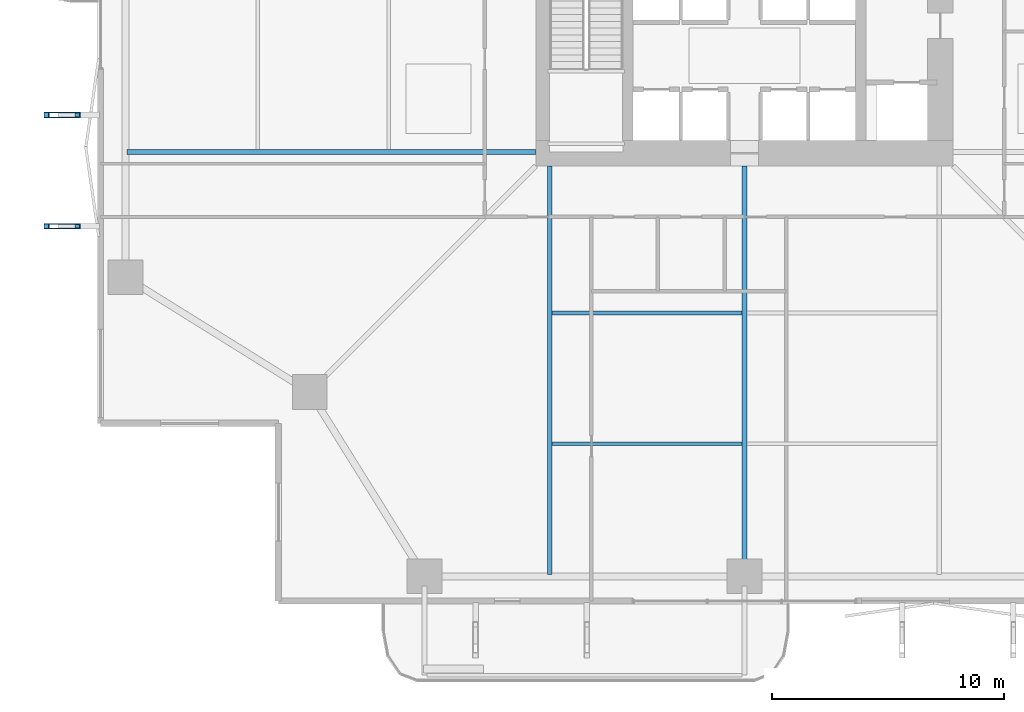
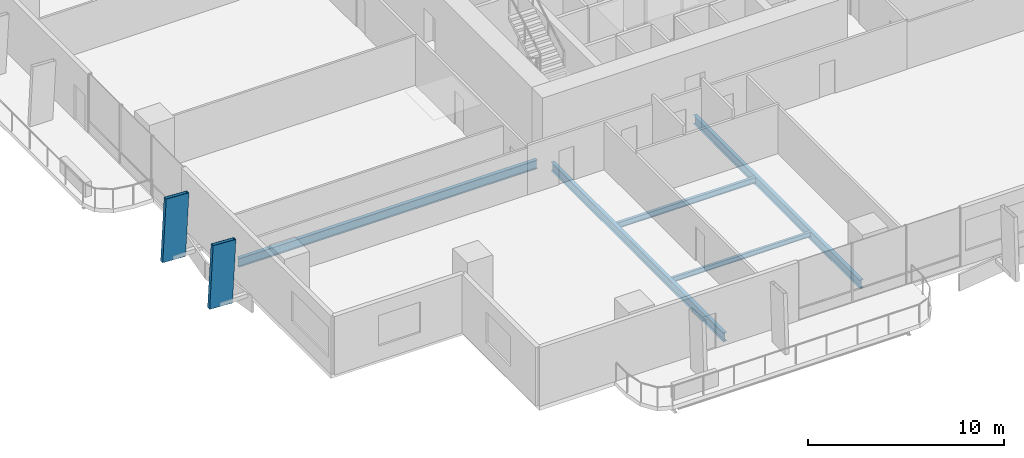
# One storey, part 3 of 23: 5 beams, 2 members.
"""IFC4 building model written with IfcOpenShell, lengths in metres."""

import ifcopenshell
import ifcopenshell.guid

model = None  # the IFC model being written
_history = None  # IfcOwnerHistory: only IFC2X3 demands one
_inside = {}  # id of a spatial element -> (the spatial element, [elements in it])
_under = {}  # id of a project, library or spatial element -> (it, [spatial elements below it])
_declared = {}  # id of a project -> (the project, [libraries it declares])
_typed = {}  # id of a type object -> (the type object, [elements of that type])
_made_of = {}  # id of a material, layer set ... -> (it, [elements and type objects made of it])


def new_model(schema):
    """Start an empty IFC model of exactly this schema.

    Asked for "IFC4X3", IfcOpenShell would pick the latest addendum, in which some entities
    have other attributes; the version numbers below select the first issue.
    IFC2X3 requires an IfcOwnerHistory on every rooted entity: one is made here for all.
    """
    global model, _history
    if schema == "IFC4X3":
        model = ifcopenshell.file(schema_version=(4, 3, 0, 0))
    else:
        model = ifcopenshell.file(schema=schema)
    _inside.clear()
    _under.clear()
    _declared.clear()
    _typed.clear()
    _made_of.clear()
    _history = None
    if model.schema == "IFC2X3":
        org = make("IfcOrganization", Name="unknown")
        user = make(
            "IfcPersonAndOrganization",
            ThePerson=make("IfcPerson", FamilyName="unknown"),
            TheOrganization=org,
        )
        app = make(
            "IfcApplication",
            ApplicationDeveloper=org,
            Version="unknown",
            ApplicationFullName="unknown",
            ApplicationIdentifier="unknown",
        )
        _history = make(
            "IfcOwnerHistory",
            OwningUser=user,
            OwningApplication=app,
            ChangeAction="ADDED",
            CreationDate=0,
        )
    return model


def make(cls, **values):
    """One entity of the class cls with the attributes given. An attribute that is None is left unset."""
    return model.create_entity(
        cls, **{name: value for name, value in values.items() if value is not None}
    )


def rooted(cls, **values):
    """An entity with a GlobalId (a new one), such as an element, a storey or a relation."""
    return make(cls, GlobalId=ifcopenshell.guid.new(), OwnerHistory=_history, **values)


def si_unit(unit_type, name, prefix=None):
    """IfcSIUnit, for example si_unit("LENGTHUNIT", "METRE", prefix="MILLI")."""
    return make("IfcSIUnit", UnitType=unit_type, Prefix=prefix, Name=name)


def assignment(units):
    """IfcUnitAssignment: the units of a project."""
    return None if units is None else make("IfcUnitAssignment", Units=units)


def point(xyz):
    """IfcCartesianPoint."""
    return None if xyz is None else make("IfcCartesianPoint", Coordinates=xyz)


def direction(xyz):
    """IfcDirection."""
    return None if xyz is None else make("IfcDirection", DirectionRatios=xyz)


def frame(location, z_axis=None, x_axis=None):
    """IfcAxis2Placement3D, a coordinate frame: its origin and axes. An axis left out is left unset."""
    return make(
        "IfcAxis2Placement3D",
        Location=point(location),
        Axis=direction(z_axis),
        RefDirection=direction(x_axis),
    )


def frame_2d(location, x_axis=None):
    """IfcAxis2Placement2D, a coordinate frame in the plane: its origin and x axis."""
    return make(
        "IfcAxis2Placement2D", Location=point(location), RefDirection=direction(x_axis)
    )


def origin():
    """The frame at (0, 0, 0) with its axes left unset."""
    return frame((0.0, 0.0, 0.0))


def origin_2d():
    """The frame at (0, 0) in the plane with its x axis left unset."""
    return frame_2d((0.0, 0.0))


def place(relative_to, where):
    """IfcLocalPlacement: puts the frame where relative to a parent placement (None: the world)."""
    return make(
        "IfcLocalPlacement", PlacementRelTo=relative_to, RelativePlacement=where
    )


def context(
    kind, dimensions, precision=None, world=None, true_north=None, identifier=None
):
    """IfcGeometricRepresentationContext, for example the 3D "Model" context."""
    return make(
        "IfcGeometricRepresentationContext",
        ContextIdentifier=identifier,
        ContextType=kind,
        CoordinateSpaceDimension=dimensions,
        Precision=precision,
        WorldCoordinateSystem=world,
        TrueNorth=true_north,
    )


def subcontext(parent, identifier, kind, view, scale=None):
    """IfcGeometricRepresentationSubContext, for example "Body" below "Model"."""
    return make(
        "IfcGeometricRepresentationSubContext",
        ContextIdentifier=identifier,
        ContextType=kind,
        ParentContext=parent,
        TargetScale=scale,
        TargetView=view,
    )


def project(units=None, contexts=None):
    """IfcProject with its units and contexts."""
    return rooted(
        "IfcProject",
        Name="project",
        RepresentationContexts=contexts,
        UnitsInContext=assignment(units),
    )


def spatial(cls, under=None, at=None, **own):
    """A site, building, storey or space (cls), placed at a placement, below another one or the project."""
    s = rooted(cls, ObjectPlacement=at, **own)
    if under is not None:
        _under.setdefault(under.id(), (under, []))[1].append(s)
    return s


def profile(cls, at=None, kind="AREA", **sizes):
    """A parametric profile (cls). Its sizes go by their IFC names, for example OverallWidth=200.0."""
    return make(cls, ProfileType=kind, Position=at, **sizes)


def hollow_rectangle(**sizes):
    """IfcRectangleHollowProfileDef."""
    return profile("IfcRectangleHollowProfileDef", **sizes)


def i_section(**sizes):
    """IfcIShapeProfileDef."""
    return profile("IfcIShapeProfileDef", **sizes)


def extrude(swept, where, along, depth):
    """IfcExtrudedAreaSolid: the profile swept, set in the frame where, extruded along a direction by depth."""
    return make(
        "IfcExtrudedAreaSolid",
        SweptArea=swept,
        Position=where,
        ExtrudedDirection=direction(along),
        Depth=depth,
    )


def shape(context_of_items, identifier, shape_type, items):
    """IfcShapeRepresentation: the items that make up one representation, for example the "Body"."""
    return make(
        "IfcShapeRepresentation",
        ContextOfItems=context_of_items,
        RepresentationIdentifier=identifier,
        RepresentationType=shape_type,
        Items=items,
    )


def material(Name=None, Category=None):
    """IfcMaterial."""
    return make("IfcMaterial", Name=Name, Category=Category)


def material_profile(
    of_material, cross_section, Name=None, Category=None, Priority=None
):
    """IfcMaterialProfile: a cross section and its material."""
    return make(
        "IfcMaterialProfile",
        Name=Name,
        Material=of_material,
        Profile=cross_section,
        Priority=Priority,
        Category=Category,
    )


def profile_set(profiles, Name=None, composite=None):
    """IfcMaterialProfileSet."""
    return make(
        "IfcMaterialProfileSet",
        Name=Name,
        MaterialProfiles=profiles,
        CompositeProfile=composite,
    )


def made_of(thing, what):
    """Note that an element or type object is made of a material, layer set ...; save() writes the relation."""
    if what is not None:
        _made_of.setdefault(what.id(), (what, []))[1].append(thing)
    return thing


def type_object(cls, material=None, **own):
    """A type object (cls), such as IfcWallType, which elements share."""
    return made_of(rooted(cls, **own), material)


def element(
    cls,
    number,
    at=None,
    inside=None,
    cuts=None,
    type_object=None,
    material=None,
    context=None,
    identifier="Body",
    shape_type=None,
    held_by="IfcProductDefinitionShape",
    body=None,
    shapes=None,
    **own,
):
    """One element of the class cls, such as IfcWall. Its Tag is "e" and its number.

    at: its placement. inside: the storey or other place that contains it. cuts: it is an
    opening in that element (IfcRelVoidsElement). A single representation is given by context,
    identifier, shape_type and body (its items); several are given by shapes. held_by: the class
    of the entity that holds the representations. save() writes the other relations.
    """
    e = rooted(cls, Tag="e%d" % number, ObjectPlacement=at, **own)
    if body is not None:
        shapes = [shape(context, identifier, shape_type, body)]
    if shapes is not None:
        e.Representation = make(held_by, Representations=shapes)
    if inside is not None:
        _inside.setdefault(inside.id(), (inside, []))[1].append(e)
    if cuts is not None:
        rooted(
            "IfcRelVoidsElement", RelatingBuildingElement=cuts, RelatedOpeningElement=e
        )
    if type_object is not None:
        _typed.setdefault(type_object.id(), (type_object, []))[1].append(e)
    return made_of(e, material)


def aggregate(whole, parts):
    """IfcRelAggregates: a whole, such as a stair, and the parts it consists of."""
    return rooted("IfcRelAggregates", RelatingObject=whole, RelatedObjects=parts)


def save(model, path):
    """Write the relations noted so far, then the file.

    IfcRelAggregates (storeys below a building ...), IfcRelContainedInSpatialStructure (elements
    in a storey), IfcRelDefinesByType, IfcRelAssociatesMaterial and IfcRelDeclares: one each for
    every whole, place, type object, material and project.
    """
    for whole, parts in _under.values():
        aggregate(whole, parts)
    for where, things in _inside.values():
        rooted(
            "IfcRelContainedInSpatialStructure",
            RelatedElements=things,
            RelatingStructure=where,
        )
    for kind, things in _typed.values():
        rooted("IfcRelDefinesByType", RelatedObjects=things, RelatingType=kind)
    for what, things in _made_of.values():
        rooted("IfcRelAssociatesMaterial", RelatedObjects=things, RelatingMaterial=what)
    for by, libraries in _declared.values():
        rooted("IfcRelDeclares", RelatingContext=by, RelatedDefinitions=libraries)
    model.write(path)


model = new_model("IFC4")

# Units and contexts
model_context = context("Model", 3, precision=1e-05, world=origin(), true_north=direction((0.0, 1.0)))
body_context = subcontext(model_context, "Body", "Model", "MODEL_VIEW")
ifc_project = project(units=[si_unit("LENGTHUNIT", "METRE"), si_unit("AREAUNIT", "SQUARE_METRE"), si_unit("VOLUMEUNIT", "CUBIC_METRE"), si_unit("PLANEANGLEUNIT", "RADIAN"), si_unit("MASSUNIT", "GRAM", prefix="KILO")], contexts=[model_context])

# Site, building, storey
site_placement = place(None, origin())
site = spatial("IfcSite", under=ifc_project, at=site_placement, CompositionType="ELEMENT")
building_placement = place(site_placement, origin())
building = spatial("IfcBuilding", under=site, at=building_placement, Name="Belovzor Exchange Tower", CompositionType="ELEMENT")
storey_placement = place(building_placement, frame((0.0, 0.0, 65.10009765625)))
storey = spatial("IfcBuildingStorey", under=building, at=storey_placement, Name="L15", CompositionType="ELEMENT", Elevation=65.10009765625)

# Members
ifc_material_1 = material(Name="Extruded Architectural Terracotta on Steel S355 Carrier", Category="masonry")
ifc_material_profile_1 = material_profile(ifc_material_1, hollow_rectangle(XDim=0.219970703125, YDim=1.35009765625, WallThickness=0.013916015625, at=origin_2d()))
ifc_profile_set_1 = profile_set([ifc_material_profile_1], Name="Extruded Architectural Terracotta on Steel S355 Carrier")
member_type = type_object("IfcMemberType", Name="Base Arc Sweeping Terracotta Pylon Fin 1450", PredefinedType="USERDEFINED", material=ifc_profile_set_1)
for number, where, z_axis, x_axis, name in (
    (1, (-0.739013671875, 17.199951171875, -0.25), (0.053011620344, 0.0, 0.998593895489), (0.0, 1.0, 0.0), "FIN-TC145 Terracotta Facade Fin L15 W1"),
    (2, (-0.739013671875, 22.0, -0.25), (0.053011620344, 0.0, 0.998593895489), (0.0, 1.0, 0.0), "FIN-TC145 Terracotta Facade Fin L15 W2"),
):
    element("IfcMember", number, at=place(storey_placement, frame(where, z_axis=z_axis, x_axis=x_axis)), inside=storey, type_object=member_type, Name=name, ObjectType="FIN", PredefinedType="USERDEFINED", context=body_context, shape_type="SweptSolid", body=[
        extrude(hollow_rectangle(XDim=0.219970703125, YDim=1.35009765625, WallThickness=0.013916015625, at=origin_2d()), origin(), (0.0, 0.0, 1.0), 3.9052734375),
    ])

# Beams
ifc_material_2 = material(Name="Steel S355", Category="steel")
ifc_material_profile_2 = material_profile(ifc_material_2, i_section(OverallWidth=0.169921875, OverallDepth=0.360107421875, WebThickness=0.008056640625, FlangeThickness=0.0126953125, at=origin_2d()))
ifc_profile_set_2 = profile_set([ifc_material_profile_2], Name="Steel S355")
beam_type_1 = type_object("IfcBeamType", Name="Secondary Infill Floor Joist IPE 360", PredefinedType="BEAM", material=ifc_profile_set_2)
beam_1_placement = place(storey_placement, frame((20.5048828125, 13.455078125, -0.43017578125), z_axis=(1.0, 0.0, 0.0), x_axis=(0.0, 1.0, 0.0)))
element("IfcBeam", 3, at=beam_1_placement, inside=storey, type_object=beam_type_1, Name="FJ-360 Secondary Infill Floor Joist IPE 360", PredefinedType="BEAM", context=body_context, shape_type="SweptSolid", body=[
    extrude(i_section(OverallWidth=0.169921875, OverallDepth=0.360107421875, WebThickness=0.008056640625, FlangeThickness=0.0126953125, at=origin_2d()), origin(), (0.0, 0.0, 1.0), 8.190185546875),
])
ifc_material_3 = material(Name="Steel S355", Category="steel")
ifc_material_profile_3 = material_profile(ifc_material_3, i_section(OverallWidth=0.14990234375, OverallDepth=0.300048828125, WebThickness=0.007080078125, FlangeThickness=0.0107421875, at=origin_2d()))
ifc_profile_set_3 = profile_set([ifc_material_profile_3], Name="Steel S355")
beam_type_2 = type_object("IfcBeamType", Name="Secondary Trim Floor Joist IPE 300", PredefinedType="BEAM", material=ifc_profile_set_3)
beam_2_placement = place(storey_placement, frame((20.5048828125, 7.81494140625, -0.400146484375), z_axis=(1.0, 0.0, 0.0), x_axis=(0.0, 1.0, 0.0)))
element("IfcBeam", 4, at=beam_2_placement, inside=storey, type_object=beam_type_2, Name="FJ-300 Secondary Trim Floor Joist IPE 300", PredefinedType="BEAM", context=body_context, shape_type="SweptSolid", body=[
    extrude(i_section(OverallWidth=0.14990234375, OverallDepth=0.300048828125, WebThickness=0.007080078125, FlangeThickness=0.0107421875, at=origin_2d()), origin(), (0.0, 0.0, 1.0), 8.190185546875),
])
ifc_material_4 = material(Name="Steel S355", Category="steel")
ifc_material_profile_4 = material_profile(ifc_material_4, i_section(OverallWidth=0.2099609375, OverallDepth=0.550048828125, WebThickness=0.010986328125, FlangeThickness=0.01708984375, at=origin_2d()))
ifc_profile_set_4 = profile_set([ifc_material_profile_4], Name="Steel S355")
beam_type_3 = type_object("IfcBeamType", Name="Zone 1 Radial Composite Floor Beam IPE 550", PredefinedType="BEAM", material=ifc_profile_set_4)
beam_3_placement = place(storey_placement, frame((20.39990234375, 19.800048828125, -0.525146484375), z_axis=(0.0, -1.0, 0.0), x_axis=(1.0, 0.0, 0.0)))
element("IfcBeam", 5, at=beam_3_placement, inside=storey, type_object=beam_type_3, Name="FB-550 Zone 1 Radial Composite Floor Beam IPE 550", PredefinedType="BEAM", context=body_context, shape_type="SweptSolid", body=[
    extrude(i_section(OverallWidth=0.2099609375, OverallDepth=0.550048828125, WebThickness=0.010986328125, FlangeThickness=0.01708984375, at=origin_2d()), origin(), (0.0, 0.0, 1.0), 17.625),
])
beam_4_placement = place(storey_placement, frame((28.800048828125, 19.800048828125, -0.525146484375), z_axis=(0.0, -1.0, 0.0), x_axis=(1.0, 0.0, 0.0)))
element("IfcBeam", 6, at=beam_4_placement, inside=storey, type_object=beam_type_3, Name="FB-550 Zone 1 Radial Composite Floor Beam IPE 550", PredefinedType="BEAM", context=body_context, shape_type="SweptSolid", body=[
    extrude(i_section(OverallWidth=0.2099609375, OverallDepth=0.550048828125, WebThickness=0.010986328125, FlangeThickness=0.01708984375, at=origin_2d()), origin(), (0.0, 0.0, 1.0), 17.0400390625),
])
beam_5_placement = place(storey_placement, frame((19.800048828125, 20.39990234375, -0.525146484375), z_axis=(-1.0, 0.0, 0.0), x_axis=(0.0, -1.0, 0.0)))
element("IfcBeam", 7, at=beam_5_placement, inside=storey, type_object=beam_type_3, Name="FB-550 Zone 1 Radial Composite Floor Beam IPE 550", PredefinedType="BEAM", context=body_context, shape_type="SweptSolid", body=[
    extrude(i_section(OverallWidth=0.2099609375, OverallDepth=0.550048828125, WebThickness=0.010986328125, FlangeThickness=0.01708984375, at=origin_2d()), origin(), (0.0, 0.0, 1.0), 17.625),
])

save(model, "model.ifc")
